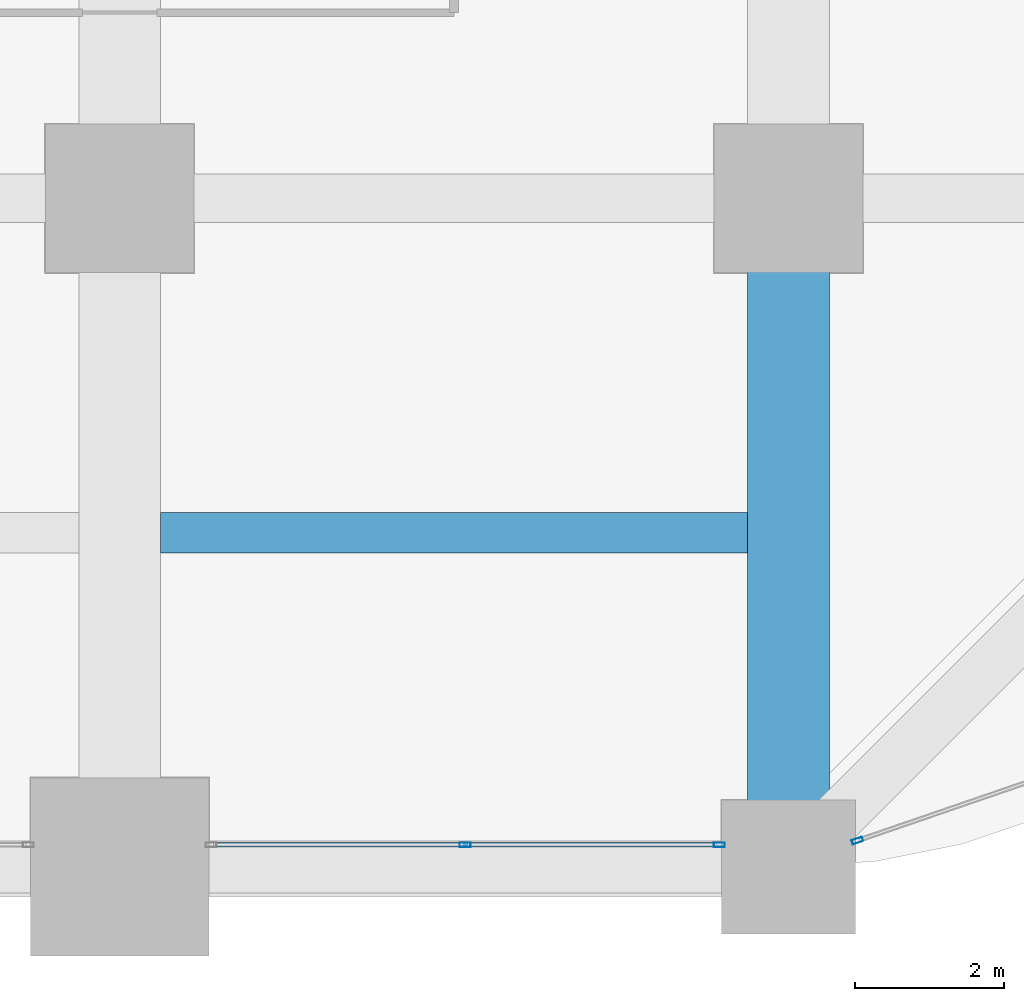
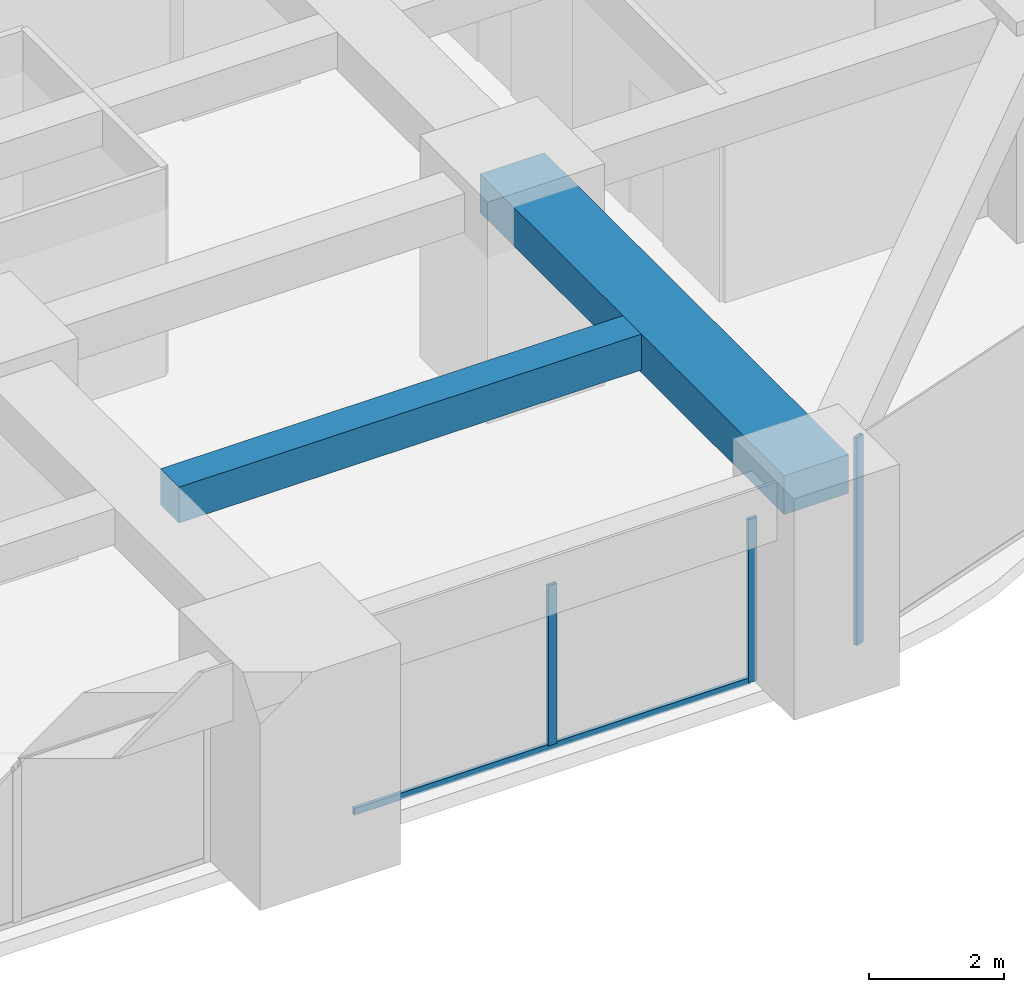
# One storey, part 16 of 41: 4 members, 2 beams, 2 elements without a shape of their own.
"""IFC4 building model written with IfcOpenShell, lengths in metres."""

from ifc_helpers import new_model, si_unit, direction, frame, origin, origin_2d, place, context, subcontext, project, spatial, rectangle, hollow_rectangle, extrude, material, material_profile, profile_set, type_object, element, aggregate, save


model = new_model("IFC4")

# Units and contexts
model_context = context("Model", 3, precision=1e-05, world=origin(), true_north=direction((0.0, 1.0)))
body_context = subcontext(model_context, "Body", "Model", "MODEL_VIEW")
ifc_project = project(units=[si_unit("LENGTHUNIT", "METRE"), si_unit("AREAUNIT", "SQUARE_METRE"), si_unit("VOLUMEUNIT", "CUBIC_METRE"), si_unit("PLANEANGLEUNIT", "RADIAN"), si_unit("MASSUNIT", "GRAM", prefix="KILO")], contexts=[model_context])

# Site, building, storey
site_placement = place(None, origin())
site = spatial("IfcSite", under=ifc_project, at=site_placement, CompositionType="ELEMENT")
building_placement = place(site_placement, origin())
building = spatial("IfcBuilding", under=site, at=building_placement, Name="Zorevar Civic Tower", CompositionType="ELEMENT")
storey_placement = place(building_placement, frame((0.0, 0.0, 113.0)))
storey = spatial("IfcBuildingStorey", under=building, at=storey_placement, Name="L27", CompositionType="ELEMENT", Elevation=113.0)

# Beams
ifc_material_1 = material(Name="Concrete C50/60", Category="concrete")
ifc_material_profile_1 = material_profile(ifc_material_1, rectangle(XDim=1.10009765625, YDim=0.699951171875, at=origin_2d()), Name="RC 1100x700")
ifc_profile_set_1 = profile_set([ifc_material_profile_1], Name="Concrete C50/60")
beam_type_1 = type_object("IfcBeamType", Name="Beam RC 1100x700", PredefinedType="BEAM", material=ifc_profile_set_1)
beam_1_placement = place(storey_placement, frame((54.0, 0.0, 3.39990234375), z_axis=(0.0, 1.0, 0.0), x_axis=(-1.0, 0.0, 0.0)))
element("IfcBeam", 1, at=beam_1_placement, inside=storey, type_object=beam_type_1, Name="Girder L28", PredefinedType="BEAM", context=body_context, shape_type="SweptSolid", body=[
    extrude(rectangle(XDim=1.10009765625, YDim=0.699951171875, at=origin_2d()), origin(), (0.0, 0.0, 1.0), 9.0),
])
ifc_material_2 = material(Name="Concrete C50/60", Category="concrete")
ifc_material_profile_2 = material_profile(ifc_material_2, rectangle(XDim=0.550048828125, YDim=0.64990234375, at=origin_2d()), Name="RC 550x650")
ifc_profile_set_2 = profile_set([ifc_material_profile_2], Name="Concrete C50/60")
beam_type_2 = type_object("IfcBeamType", Name="Beam RC 550x650", PredefinedType="BEAM", material=ifc_profile_set_2)
beam_2_placement = place(storey_placement, frame((45.550048828125, 4.5, 3.425048828125), z_axis=(1.0, 0.0, 0.0), x_axis=(0.0, 1.0, 0.0)))
element("IfcBeam", 2, at=beam_2_placement, inside=storey, type_object=beam_type_2, Name="Secondary beam L28", PredefinedType="BEAM", context=body_context, shape_type="SweptSolid", body=[
    extrude(rectangle(XDim=0.550048828125, YDim=0.64990234375, at=origin_2d()), origin(), (0.0, 0.0, 1.0), 7.89990234375),
])

# Curtain wall, members
ifc_material_3 = material(Name="Dark grey solar-control glass in black aluminium frame", Category="aluminium")
curtain_wall_type = type_object("IfcCurtainWallType", Name="Curtain wall CW3 mid zone", PredefinedType="NOTDEFINED", material=ifc_material_3)
curtain_wall_1_placement = place(storey_placement, origin())
curtain_wall_1 = element("IfcCurtainWall", 3, at=curtain_wall_1_placement, inside=storey, type_object=curtain_wall_type, Name="CW3 L27", PredefinedType="NOTDEFINED")
ifc_material_4 = material(Name="Aluminium, black anodised", Category="aluminium")
ifc_material_profile_3 = material_profile(ifc_material_4, hollow_rectangle(XDim=0.06005859375, YDim=0.14990234375, WallThickness=0.00390625, at=origin_2d()), Name="AL 150x60x4")
ifc_profile_set_3 = profile_set([ifc_material_profile_3], Name="Aluminium, black anodised")
member_type_1 = type_object("IfcMemberType", Name="CW3 mullion AL 150x60x4", PredefinedType="MULLION", material=ifc_profile_set_3)
member_1_placement = place(storey_placement, frame((49.64990234375, 0.300048828125, 0.06005859375), z_axis=(0.0, 0.0, 1.0), x_axis=(0.0, 1.0, 0.0)))
member_1 = element("IfcMember", 4, at=member_1_placement, type_object=member_type_1, Name="CW3 mullion 2", PredefinedType="MULLION", context=body_context, shape_type="SweptSolid", body=[
    extrude(hollow_rectangle(XDim=0.06005859375, YDim=0.14990234375, WallThickness=0.00390625, at=origin_2d()), origin(), (0.0, 0.0, 1.0), 2.889892578125),
])
member_2_placement = place(storey_placement, frame((53.070068359375, 0.300048828125, 0.0), z_axis=(0.0, 0.0, 1.0), x_axis=(0.0, 1.0, 0.0)))
member_2 = element("IfcMember", 5, at=member_2_placement, type_object=member_type_1, Name="CW3 mullion 3", PredefinedType="MULLION", context=body_context, shape_type="SweptSolid", body=[
    extrude(hollow_rectangle(XDim=0.06005859375, YDim=0.14990234375, WallThickness=0.00390625, at=origin_2d()), origin(), (0.0, 0.0, 1.0), 2.949951171875),
])

# Curtain wall, member
curtain_wall_2_placement = place(storey_placement, origin())
curtain_wall_2 = element("IfcCurtainWall", 6, at=curtain_wall_2_placement, inside=storey, type_object=curtain_wall_type, Name="CW3 L27", PredefinedType="NOTDEFINED")
member_3_placement = place(storey_placement, frame((54.928466796875, 0.3564453125, 0.0), z_axis=(0.0, 0.0, 1.0), x_axis=(-0.324878466857, 0.945755772794, 0.0)))
member_3 = element("IfcMember", 7, at=member_3_placement, type_object=member_type_1, Name="CW3 mullion 1", PredefinedType="MULLION", context=body_context, shape_type="SweptSolid", body=[
    extrude(hollow_rectangle(XDim=0.06005859375, YDim=0.14990234375, WallThickness=0.00390625, at=origin_2d()), origin(), (0.0, 0.0, 1.0), 3.75),
])
aggregate(curtain_wall_2, [member_3])

# Member
ifc_material_5 = material(Name="Aluminium, black anodised", Category="aluminium")
ifc_material_profile_4 = material_profile(ifc_material_5, hollow_rectangle(XDim=0.06005859375, YDim=0.1201171875, WallThickness=0.0029296875, at=origin_2d()), Name="AL 120x60x3")
ifc_profile_set_4 = profile_set([ifc_material_profile_4], Name="Aluminium, black anodised")
member_type_2 = type_object("IfcMemberType", Name="CW3 transom AL 120x60x3", PredefinedType="USERDEFINED", material=ifc_profile_set_4)
member_4_placement = place(storey_placement, frame((46.260009765625, 0.300048828125, 0.030029296875), z_axis=(1.0, 0.0, 0.0), x_axis=(0.0, 1.0, 0.0)))
member_4 = element("IfcMember", 8, at=member_4_placement, type_object=member_type_2, Name="CW3 sill transom", ObjectType="TRANSOM", PredefinedType="USERDEFINED", context=body_context, shape_type="SweptSolid", body=[
    extrude(hollow_rectangle(XDim=0.06005859375, YDim=0.1201171875, WallThickness=0.0029296875, at=origin_2d()), origin(), (0.0, 0.0, 1.0), 6.780029296875),
])

aggregate(curtain_wall_1, [member_1, member_2, member_4])

save(model, "model.ifc")
